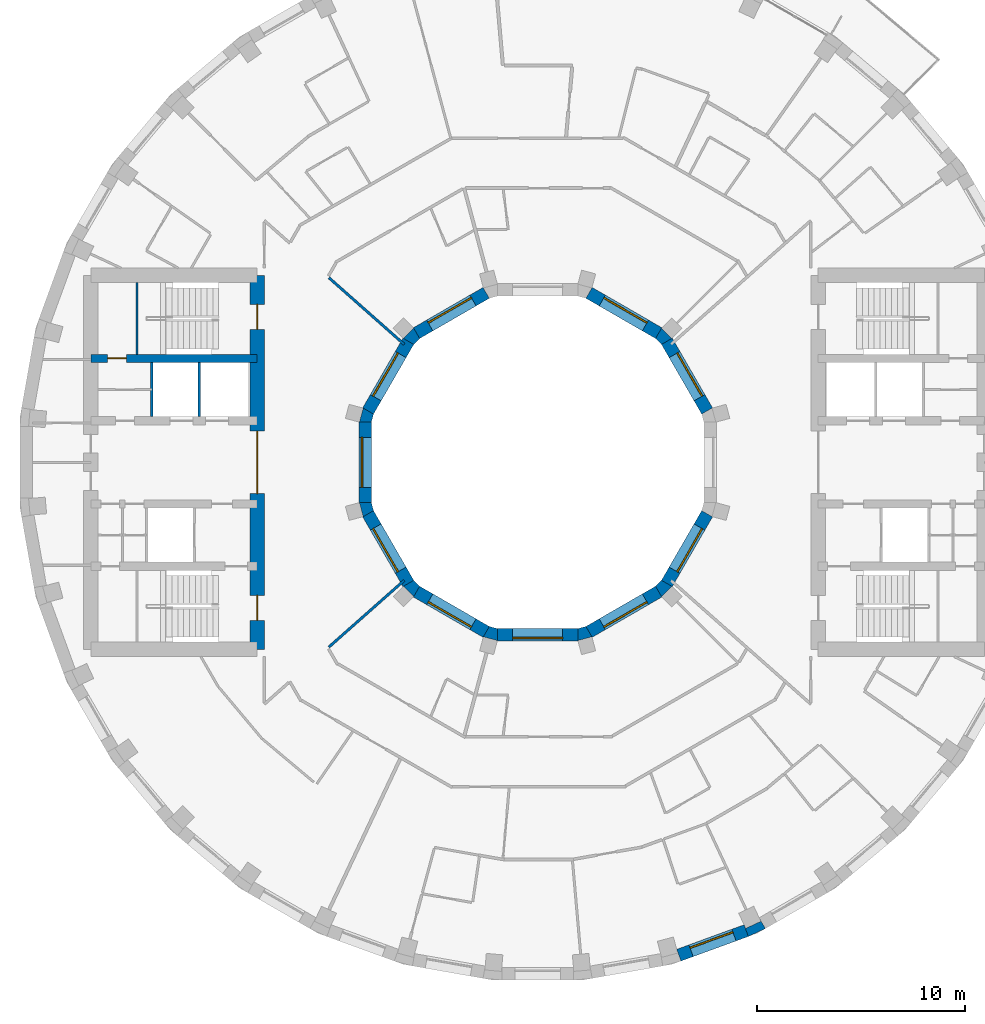
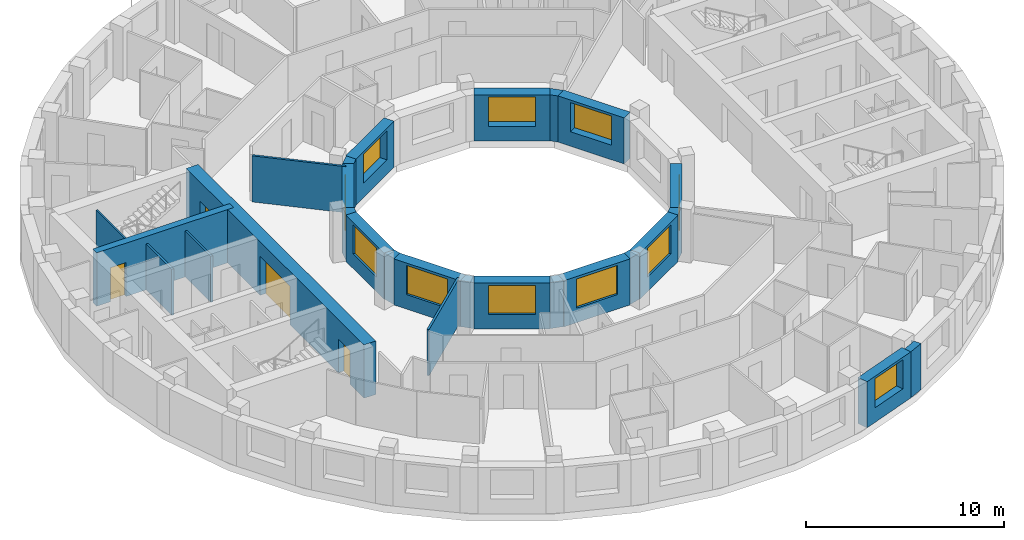
# One storey, part 6 of 13: 27 walls, 11 windows, 4 doors, 15 openings.
"""IFC4 building model written with IfcOpenShell, lengths in metres."""

from ifc_helpers import new_model, si_unit, direction, frame, frame_2d, origin, place, context, subcontext, project, spatial, polyline, rectangle, outline, extrude, material, layer, layer_set, type_object, element, fill, save


model = new_model("IFC4")

# Units and contexts
model_context = context("Model", 3, precision=1e-05, world=origin(), true_north=direction((0.0, 1.0)))
body_context = subcontext(model_context, "Body", "Model", "MODEL_VIEW")
ifc_project = project(units=[si_unit("LENGTHUNIT", "METRE"), si_unit("AREAUNIT", "SQUARE_METRE"), si_unit("VOLUMEUNIT", "CUBIC_METRE"), si_unit("PLANEANGLEUNIT", "RADIAN"), si_unit("MASSUNIT", "GRAM", prefix="KILO")], contexts=[model_context])

# Site, building, storey
site_placement = place(None, origin())
site = spatial("IfcSite", under=ifc_project, at=site_placement, CompositionType="ELEMENT")
building_placement = place(site_placement, origin())
building = spatial("IfcBuilding", under=site, at=building_placement, Name="Saqina Gate Tower", CompositionType="ELEMENT")
storey_placement = place(building_placement, frame((0.0, 0.0, 203.699951171875)))
storey = spatial("IfcBuildingStorey", under=building, at=storey_placement, Name="L58", CompositionType="ELEMENT", Elevation=203.699951171875)

# Wall
ifc_material_1 = material(Name="Brick masonry (buff)", Category="masonry")
wall_type_1 = type_object("IfcWallType", Name="BRICK PIER COPING BUFF", PredefinedType="SOLIDWALL", material=ifc_material_1)
wall_1_placement = place(storey_placement, origin())
element("IfcWall", 1, at=wall_1_placement, inside=storey, type_object=wall_type_1, Name="Pier cap L58 column 30", PredefinedType="SOLIDWALL", context=body_context, shape_type="SweptSolid", body=[
    extrude(outline(polyline([(10.958740234375, -22.4306640625), (10.65869140625, -21.9111328125), (10.73779296875, -22.080810546875), (10.0126953125, -22.4189453125), (9.93359375, -22.249267578125), (10.138916015625, -22.81298828125), (10.958740234375, -22.4306640625)])), origin(), (0.0, 0.0, 1.0), 2.85009765625),
])

# Wall, opening, window
ifc_material_2 = material(Name="Brick masonry (buff)", Category="masonry")
ifc_layer_1 = layer(ifc_material_2, 0.60009765625)
ifc_layer_set_1 = layer_set([ifc_layer_1], Name="FW-BRICK-BUFF")
wall_type_2 = type_object("IfcWallType", Name="FW-BRICK-BUFF", PredefinedType="SOLIDWALL", material=ifc_layer_set_1)
wall_2_placement = place(storey_placement, frame((6.79443359375, -23.7109375, 0.0), z_axis=(0.0, 0.0, 1.0), x_axis=(0.93968799822, 0.342032843455, 0.0)))
wall_2 = element("IfcWall", 2, at=wall_2_placement, inside=storey, type_object=wall_type_2, Name="Facade wall L58 facet 29", PredefinedType="SOLIDWALL", context=body_context, shape_type="SweptSolid", body=[
    extrude(rectangle(XDim=3.44970703125, YDim=0.60009765625, at=frame_2d((1.724853515625, 0.0))), origin(), (0.0, 0.0, 1.0), 2.85009765625),
])
opening_1_placement = place(wall_2_placement, frame((0.625, 0.0, 0.89990234375)))
opening_1 = element("IfcOpeningElement", 3, at=opening_1_placement, cuts=wall_2, Name="Opening G17-W18", PredefinedType="OPENING", context=body_context, shape_type="SweptSolid", body=[
    extrude(rectangle(XDim=2.199951171875, YDim=1.800048828125, at=frame_2d((1.10009765625, 0.89990234375))), frame((0.0, 0.31201171875, 0.0), z_axis=(0.0, -1.0, 0.0), x_axis=(1.0, 0.0, 0.0)), (0.0, 0.0, 1.0), 0.6240234375),
])
ifc_material_3 = material(Name="Aluminium glazing", Category="aluminium")
window_type_1 = type_object("IfcWindowType", Name="WN-C", PartitioningType="SINGLE_PANEL", PredefinedType="WINDOW", material=ifc_material_3)
window_1_placement = place(opening_1_placement, origin())
window_1 = element("IfcWindow", 4, at=window_1_placement, inside=storey, type_object=window_type_1, Name="Window L58 facet 29", OverallHeight=1.800048828125, OverallWidth=2.199951171875, PartitioningType="SINGLE_PANEL", PredefinedType="WINDOW", context=body_context, shape_type="SweptSolid", body=[
    extrude(rectangle(XDim=2.199951171875, YDim=1.800048828125, at=frame_2d((1.10009765625, 0.89990234375))), frame((0.0, 0.179931640625, 0.0), z_axis=(0.0, -1.0, 0.0), x_axis=(1.0, 0.0, 0.0)), (0.0, 0.0, 1.0), 0.06005859375),
])
fill(opening_1, window_1)

ifc_material_4 = material(Name="Glazed ceramic tile", Category="ceramic")
ifc_layer_2 = layer(ifc_material_4, 0.60009765625)
ifc_layer_set_2 = layer_set([ifc_layer_2], Name="IW-TILE")
wall_type_3 = type_object("IfcWallType", Name="IW-TILE", PredefinedType="SOLIDWALL", material=ifc_layer_set_2)
wall_3_placement = place(storey_placement, frame((8.155517578125, 2.474365234375, 0.0), z_axis=(0.0, 0.0, 1.0), x_axis=(-0.500033728941, 0.866005929495, 0.0)))
wall_3 = element("IfcWall", 5, at=wall_3_placement, inside=storey, type_object=wall_type_3, Name="Well wall L58 facet 1", PredefinedType="SOLIDWALL", context=body_context, shape_type="SweptSolid", body=[
    extrude(rectangle(XDim=3.869873046875, YDim=0.60009765625, at=frame_2d((1.93505859375, 0.0))), origin(), (0.0, 0.0, 1.0), 2.85009765625),
])
opening_2_placement = place(wall_3_placement, frame((0.73486328125, 0.0, 0.89990234375)))
opening_2 = element("IfcOpeningElement", 6, at=opening_2_placement, cuts=wall_3, Name="Opening G17-W23", PredefinedType="OPENING", context=body_context, shape_type="SweptSolid", body=[
    extrude(rectangle(XDim=2.39990234375, YDim=1.800048828125, at=frame_2d((1.199951171875, 0.89990234375))), frame((0.0, 0.31201171875, 0.0), z_axis=(0.0, -1.0, 0.0), x_axis=(1.0, 0.0, 0.0)), (0.0, 0.0, 1.0), 0.6240234375),
])
ifc_material_5 = material(Name="Aluminium glazing", Category="aluminium")
window_type_2 = type_object("IfcWindowType", Name="WN-W", PartitioningType="SINGLE_PANEL", PredefinedType="WINDOW", material=ifc_material_5)
window_2_placement = place(opening_2_placement, origin())
window_2 = element("IfcWindow", 7, at=window_2_placement, inside=storey, type_object=window_type_2, Name="Well window L58 facet 1", OverallHeight=1.800048828125, OverallWidth=2.39990234375, PartitioningType="SINGLE_PANEL", PredefinedType="WINDOW", context=body_context, shape_type="SweptSolid", body=[
    extrude(rectangle(XDim=2.39990234375, YDim=1.800048828125, at=frame_2d((1.199951171875, 0.89990234375))), frame((0.0, -0.119873046875, 0.0), z_axis=(0.0, -1.0, 0.0), x_axis=(1.0, 0.0, 0.0)), (0.0, 0.0, 1.0), 0.06005859375),
])
fill(opening_2, window_2)

wall_4_placement = place(storey_placement, frame((5.82568359375, 6.220458984375, 0.0), z_axis=(0.0, 0.0, 1.0), x_axis=(-0.866005929495, 0.500033728941, 0.0)))
wall_4 = element("IfcWall", 8, at=wall_4_placement, inside=storey, type_object=wall_type_3, Name="Well wall L58 facet 2", PredefinedType="SOLIDWALL", context=body_context, shape_type="SweptSolid", body=[
    extrude(rectangle(XDim=3.869873046875, YDim=0.60009765625, at=frame_2d((1.93505859375, 0.0))), origin(), (0.0, 0.0, 1.0), 2.85009765625),
])
opening_3_placement = place(wall_4_placement, frame((0.73486328125, 0.0, 0.89990234375)))
opening_3 = element("IfcOpeningElement", 9, at=opening_3_placement, cuts=wall_4, Name="Opening G17-W24", PredefinedType="OPENING", context=body_context, shape_type="SweptSolid", body=[
    extrude(rectangle(XDim=2.39990234375, YDim=1.800048828125, at=frame_2d((1.199951171875, 0.89990234375))), frame((0.0, 0.31201171875, 0.0), z_axis=(0.0, -1.0, 0.0), x_axis=(1.0, 0.0, 0.0)), (0.0, 0.0, 1.0), 0.6240234375),
])
window_3_placement = place(opening_3_placement, origin())
window_3 = element("IfcWindow", 10, at=window_3_placement, inside=storey, type_object=window_type_2, Name="Well window L58 facet 2", OverallHeight=1.800048828125, OverallWidth=2.39990234375, PartitioningType="SINGLE_PANEL", PredefinedType="WINDOW", context=body_context, shape_type="SweptSolid", body=[
    extrude(rectangle(XDim=2.39990234375, YDim=1.800048828125, at=frame_2d((1.199951171875, 0.89990234375))), frame((0.0, -0.119873046875, 0.0), z_axis=(0.0, -1.0, 0.0), x_axis=(1.0, 0.0, 0.0)), (0.0, 0.0, 1.0), 0.06005859375),
])
fill(opening_3, window_3)

wall_5_placement = place(storey_placement, frame((-2.474365234375, 8.155517578125, 0.0), z_axis=(0.0, 0.0, 1.0), x_axis=(-0.866005929495, -0.500033728941, 0.0)))
wall_5 = element("IfcWall", 11, at=wall_5_placement, inside=storey, type_object=wall_type_3, Name="Well wall L58 facet 4", PredefinedType="SOLIDWALL", context=body_context, shape_type="SweptSolid", body=[
    extrude(rectangle(XDim=3.869873046875, YDim=0.60009765625, at=frame_2d((1.93505859375, 0.0))), origin(), (0.0, 0.0, 1.0), 2.85009765625),
])
opening_4_placement = place(wall_5_placement, frame((0.73486328125, 0.0, 0.89990234375)))
opening_4 = element("IfcOpeningElement", 12, at=opening_4_placement, cuts=wall_5, Name="Opening G17-W26", PredefinedType="OPENING", context=body_context, shape_type="SweptSolid", body=[
    extrude(rectangle(XDim=2.39990234375, YDim=1.800048828125, at=frame_2d((1.199951171875, 0.89990234375))), frame((0.0, 0.31201171875, 0.0), z_axis=(0.0, -1.0, 0.0), x_axis=(1.0, 0.0, 0.0)), (0.0, 0.0, 1.0), 0.6240234375),
])
window_4_placement = place(opening_4_placement, origin())
window_4 = element("IfcWindow", 13, at=window_4_placement, inside=storey, type_object=window_type_2, Name="Well window L58 facet 4", OverallHeight=1.800048828125, OverallWidth=2.39990234375, PartitioningType="SINGLE_PANEL", PredefinedType="WINDOW", context=body_context, shape_type="SweptSolid", body=[
    extrude(rectangle(XDim=2.39990234375, YDim=1.800048828125, at=frame_2d((1.199951171875, 0.89990234375))), frame((0.0, -0.119873046875, 0.0), z_axis=(0.0, -1.0, 0.0), x_axis=(1.0, 0.0, 0.0)), (0.0, 0.0, 1.0), 0.06005859375),
])
fill(opening_4, window_4)

wall_6_placement = place(storey_placement, frame((-6.220458984375, 5.82568359375, 0.0), z_axis=(0.0, 0.0, 1.0), x_axis=(-0.500033728941, -0.866005929495, 0.0)))
wall_6 = element("IfcWall", 14, at=wall_6_placement, inside=storey, type_object=wall_type_3, Name="Well wall L58 facet 5", PredefinedType="SOLIDWALL", context=body_context, shape_type="SweptSolid", body=[
    extrude(rectangle(XDim=3.869873046875, YDim=0.60009765625, at=frame_2d((1.93505859375, 0.0))), origin(), (0.0, 0.0, 1.0), 2.85009765625),
])
opening_5_placement = place(wall_6_placement, frame((0.73486328125, 0.0, 0.89990234375)))
opening_5 = element("IfcOpeningElement", 15, at=opening_5_placement, cuts=wall_6, Name="Opening G17-W27", PredefinedType="OPENING", context=body_context, shape_type="SweptSolid", body=[
    extrude(rectangle(XDim=2.39990234375, YDim=1.800048828125, at=frame_2d((1.199951171875, 0.89990234375))), frame((0.0, 0.31201171875, 0.0), z_axis=(0.0, -1.0, 0.0), x_axis=(1.0, 0.0, 0.0)), (0.0, 0.0, 1.0), 0.6240234375),
])
window_5_placement = place(opening_5_placement, origin())
window_5 = element("IfcWindow", 16, at=window_5_placement, inside=storey, type_object=window_type_2, Name="Well window L58 facet 5", OverallHeight=1.800048828125, OverallWidth=2.39990234375, PartitioningType="SINGLE_PANEL", PredefinedType="WINDOW", context=body_context, shape_type="SweptSolid", body=[
    extrude(rectangle(XDim=2.39990234375, YDim=1.800048828125, at=frame_2d((1.199951171875, 0.89990234375))), frame((0.0, -0.119873046875, 0.0), z_axis=(0.0, -1.0, 0.0), x_axis=(1.0, 0.0, 0.0)), (0.0, 0.0, 1.0), 0.06005859375),
])
fill(opening_5, window_5)

wall_7_placement = place(storey_placement, frame((-8.300048828125, 1.934814453125, 0.0), z_axis=(0.0, 0.0, 1.0), x_axis=(0.0, -1.0, 0.0)))
wall_7 = element("IfcWall", 17, at=wall_7_placement, inside=storey, type_object=wall_type_3, Name="Well wall L58 facet 6", PredefinedType="SOLIDWALL", context=body_context, shape_type="SweptSolid", body=[
    extrude(rectangle(XDim=3.86962890625, YDim=0.60009765625, at=frame_2d((1.934814453125, 0.0))), origin(), (0.0, 0.0, 1.0), 2.85009765625),
])
opening_6_placement = place(wall_7_placement, frame((0.73486328125, 0.0, 0.89990234375)))
opening_6 = element("IfcOpeningElement", 18, at=opening_6_placement, cuts=wall_7, Name="Opening G17-W28", PredefinedType="OPENING", context=body_context, shape_type="SweptSolid", body=[
    extrude(rectangle(XDim=2.39990234375, YDim=1.800048828125, at=frame_2d((1.199951171875, 0.89990234375))), frame((0.0, 0.31201171875, 0.0), z_axis=(0.0, -1.0, 0.0), x_axis=(1.0, 0.0, 0.0)), (0.0, 0.0, 1.0), 0.6240234375),
])
window_6_placement = place(opening_6_placement, origin())
window_6 = element("IfcWindow", 19, at=window_6_placement, inside=storey, type_object=window_type_2, Name="Well window L58 facet 6", OverallHeight=1.800048828125, OverallWidth=2.39990234375, PartitioningType="SINGLE_PANEL", PredefinedType="WINDOW", context=body_context, shape_type="SweptSolid", body=[
    extrude(rectangle(XDim=2.39990234375, YDim=1.800048828125, at=frame_2d((1.199951171875, 0.89990234375))), frame((0.0, -0.119873046875, 0.0), z_axis=(0.0, -1.0, 0.0), x_axis=(1.0, 0.0, 0.0)), (0.0, 0.0, 1.0), 0.06005859375),
])
fill(opening_6, window_6)

wall_8_placement = place(storey_placement, frame((-8.155517578125, -2.474365234375, 0.0), z_axis=(0.0, 0.0, 1.0), x_axis=(0.500033728941, -0.866005929495, 0.0)))
wall_8 = element("IfcWall", 20, at=wall_8_placement, inside=storey, type_object=wall_type_3, Name="Well wall L58 facet 7", PredefinedType="SOLIDWALL", context=body_context, shape_type="SweptSolid", body=[
    extrude(rectangle(XDim=3.869873046875, YDim=0.60009765625, at=frame_2d((1.93505859375, 0.0))), origin(), (0.0, 0.0, 1.0), 2.85009765625),
])
opening_7_placement = place(wall_8_placement, frame((0.73486328125, 0.0, 0.89990234375)))
opening_7 = element("IfcOpeningElement", 21, at=opening_7_placement, cuts=wall_8, Name="Opening G17-W29", PredefinedType="OPENING", context=body_context, shape_type="SweptSolid", body=[
    extrude(rectangle(XDim=2.39990234375, YDim=1.800048828125, at=frame_2d((1.199951171875, 0.89990234375))), frame((0.0, 0.31201171875, 0.0), z_axis=(0.0, -1.0, 0.0), x_axis=(1.0, 0.0, 0.0)), (0.0, 0.0, 1.0), 0.6240234375),
])
window_7_placement = place(opening_7_placement, origin())
window_7 = element("IfcWindow", 22, at=window_7_placement, inside=storey, type_object=window_type_2, Name="Well window L58 facet 7", OverallHeight=1.800048828125, OverallWidth=2.39990234375, PartitioningType="SINGLE_PANEL", PredefinedType="WINDOW", context=body_context, shape_type="SweptSolid", body=[
    extrude(rectangle(XDim=2.39990234375, YDim=1.800048828125, at=frame_2d((1.199951171875, 0.89990234375))), frame((0.0, -0.119873046875, 0.0), z_axis=(0.0, -1.0, 0.0), x_axis=(1.0, 0.0, 0.0)), (0.0, 0.0, 1.0), 0.06005859375),
])
fill(opening_7, window_7)

wall_9_placement = place(storey_placement, frame((-5.82568359375, -6.220458984375, 0.0), z_axis=(0.0, 0.0, 1.0), x_axis=(0.866005929495, -0.500033728941, 0.0)))
wall_9 = element("IfcWall", 23, at=wall_9_placement, inside=storey, type_object=wall_type_3, Name="Well wall L58 facet 8", PredefinedType="SOLIDWALL", context=body_context, shape_type="SweptSolid", body=[
    extrude(rectangle(XDim=3.869873046875, YDim=0.60009765625, at=frame_2d((1.93505859375, 0.0))), origin(), (0.0, 0.0, 1.0), 2.85009765625),
])
opening_8_placement = place(wall_9_placement, frame((0.73486328125, 0.0, 0.89990234375)))
opening_8 = element("IfcOpeningElement", 24, at=opening_8_placement, cuts=wall_9, Name="Opening G17-W30", PredefinedType="OPENING", context=body_context, shape_type="SweptSolid", body=[
    extrude(rectangle(XDim=2.39990234375, YDim=1.800048828125, at=frame_2d((1.199951171875, 0.89990234375))), frame((0.0, 0.31201171875, 0.0), z_axis=(0.0, -1.0, 0.0), x_axis=(1.0, 0.0, 0.0)), (0.0, 0.0, 1.0), 0.6240234375),
])
window_8_placement = place(opening_8_placement, origin())
window_8 = element("IfcWindow", 25, at=window_8_placement, inside=storey, type_object=window_type_2, Name="Well window L58 facet 8", OverallHeight=1.800048828125, OverallWidth=2.39990234375, PartitioningType="SINGLE_PANEL", PredefinedType="WINDOW", context=body_context, shape_type="SweptSolid", body=[
    extrude(rectangle(XDim=2.39990234375, YDim=1.800048828125, at=frame_2d((1.199951171875, 0.89990234375))), frame((0.0, -0.119873046875, 0.0), z_axis=(0.0, -1.0, 0.0), x_axis=(1.0, 0.0, 0.0)), (0.0, 0.0, 1.0), 0.06005859375),
])
fill(opening_8, window_8)

wall_10_placement = place(storey_placement, frame((-1.934814453125, -8.300048828125, 0.0), z_axis=(0.0, 0.0, 1.0), x_axis=(1.0, 0.0, 0.0)))
wall_10 = element("IfcWall", 26, at=wall_10_placement, inside=storey, type_object=wall_type_3, Name="Well wall L58 facet 9", PredefinedType="SOLIDWALL", context=body_context, shape_type="SweptSolid", body=[
    extrude(rectangle(XDim=3.86962890625, YDim=0.60009765625, at=frame_2d((1.934814453125, 0.0))), origin(), (0.0, 0.0, 1.0), 2.85009765625),
])
opening_9_placement = place(wall_10_placement, frame((0.73486328125, 0.0, 0.89990234375)))
opening_9 = element("IfcOpeningElement", 27, at=opening_9_placement, cuts=wall_10, Name="Opening G17-W31", PredefinedType="OPENING", context=body_context, shape_type="SweptSolid", body=[
    extrude(rectangle(XDim=2.39990234375, YDim=1.800048828125, at=frame_2d((1.199951171875, 0.89990234375))), frame((0.0, 0.31201171875, 0.0), z_axis=(0.0, -1.0, 0.0), x_axis=(1.0, 0.0, 0.0)), (0.0, 0.0, 1.0), 0.6240234375),
])
window_9_placement = place(opening_9_placement, origin())
window_9 = element("IfcWindow", 28, at=window_9_placement, inside=storey, type_object=window_type_2, Name="Well window L58 facet 9", OverallHeight=1.800048828125, OverallWidth=2.39990234375, PartitioningType="SINGLE_PANEL", PredefinedType="WINDOW", context=body_context, shape_type="SweptSolid", body=[
    extrude(rectangle(XDim=2.39990234375, YDim=1.800048828125, at=frame_2d((1.199951171875, 0.89990234375))), frame((0.0, -0.119873046875, 0.0), z_axis=(0.0, -1.0, 0.0), x_axis=(1.0, 0.0, 0.0)), (0.0, 0.0, 1.0), 0.06005859375),
])
fill(opening_9, window_9)

wall_11_placement = place(storey_placement, frame((2.474365234375, -8.155517578125, 0.0), z_axis=(0.0, 0.0, 1.0), x_axis=(0.866005929495, 0.500033728941, 0.0)))
wall_11 = element("IfcWall", 29, at=wall_11_placement, inside=storey, type_object=wall_type_3, Name="Well wall L58 facet 10", PredefinedType="SOLIDWALL", context=body_context, shape_type="SweptSolid", body=[
    extrude(rectangle(XDim=3.869873046875, YDim=0.60009765625, at=frame_2d((1.93505859375, 0.0))), origin(), (0.0, 0.0, 1.0), 2.85009765625),
])
opening_10_placement = place(wall_11_placement, frame((0.73486328125, 0.0, 0.89990234375)))
opening_10 = element("IfcOpeningElement", 30, at=opening_10_placement, cuts=wall_11, Name="Opening G17-W32", PredefinedType="OPENING", context=body_context, shape_type="SweptSolid", body=[
    extrude(rectangle(XDim=2.39990234375, YDim=1.800048828125, at=frame_2d((1.199951171875, 0.89990234375))), frame((0.0, 0.31201171875, 0.0), z_axis=(0.0, -1.0, 0.0), x_axis=(1.0, 0.0, 0.0)), (0.0, 0.0, 1.0), 0.6240234375),
])
window_10_placement = place(opening_10_placement, origin())
window_10 = element("IfcWindow", 31, at=window_10_placement, inside=storey, type_object=window_type_2, Name="Well window L58 facet 10", OverallHeight=1.800048828125, OverallWidth=2.39990234375, PartitioningType="SINGLE_PANEL", PredefinedType="WINDOW", context=body_context, shape_type="SweptSolid", body=[
    extrude(rectangle(XDim=2.39990234375, YDim=1.800048828125, at=frame_2d((1.199951171875, 0.89990234375))), frame((0.0, -0.119873046875, 0.0), z_axis=(0.0, -1.0, 0.0), x_axis=(1.0, 0.0, 0.0)), (0.0, 0.0, 1.0), 0.06005859375),
])
fill(opening_10, window_10)

wall_12_placement = place(storey_placement, frame((6.220458984375, -5.82568359375, 0.0), z_axis=(0.0, 0.0, 1.0), x_axis=(0.500033728941, 0.866005929495, 0.0)))
wall_12 = element("IfcWall", 32, at=wall_12_placement, inside=storey, type_object=wall_type_3, Name="Well wall L58 facet 11", PredefinedType="SOLIDWALL", context=body_context, shape_type="SweptSolid", body=[
    extrude(rectangle(XDim=3.869873046875, YDim=0.60009765625, at=frame_2d((1.93505859375, 0.0))), origin(), (0.0, 0.0, 1.0), 2.85009765625),
])
opening_11_placement = place(wall_12_placement, frame((0.73486328125, 0.0, 0.89990234375)))
opening_11 = element("IfcOpeningElement", 33, at=opening_11_placement, cuts=wall_12, Name="Opening G17-W33", PredefinedType="OPENING", context=body_context, shape_type="SweptSolid", body=[
    extrude(rectangle(XDim=2.39990234375, YDim=1.800048828125, at=frame_2d((1.199951171875, 0.89990234375))), frame((0.0, 0.31201171875, 0.0), z_axis=(0.0, -1.0, 0.0), x_axis=(1.0, 0.0, 0.0)), (0.0, 0.0, 1.0), 0.6240234375),
])
window_11_placement = place(opening_11_placement, origin())
window_11 = element("IfcWindow", 34, at=window_11_placement, inside=storey, type_object=window_type_2, Name="Well window L58 facet 11", OverallHeight=1.800048828125, OverallWidth=2.39990234375, PartitioningType="SINGLE_PANEL", PredefinedType="WINDOW", context=body_context, shape_type="SweptSolid", body=[
    extrude(rectangle(XDim=2.39990234375, YDim=1.800048828125, at=frame_2d((1.199951171875, 0.89990234375))), frame((0.0, -0.119873046875, 0.0), z_axis=(0.0, -1.0, 0.0), x_axis=(1.0, 0.0, 0.0)), (0.0, 0.0, 1.0), 0.06005859375),
])
fill(opening_11, window_11)

# Walls
ifc_material_6 = material(Name="Gypsum board on steel studs, 125 mm, fire rated", Category="steel")
ifc_layer_3 = layer(ifc_material_6, 0.125)
ifc_layer_set_3 = layer_set([ifc_layer_3], Name="PARTITION EI 30 125")
wall_type_4 = type_object("IfcWallType", Name="PARTITION EI 30 125", PredefinedType="PARTITIONING", material=ifc_layer_set_3)
for number, where, z_axis, x_axis, name in (
    (35, (-10.0439453125, 8.885986328125, 0.0), (0.0, 0.0, 1.0), (0.748977300745, -0.662595655712, 0.0), "PARTITION PW1-11"),
    (36, (-10.0439453125, -8.885986328125, 0.0), (0.0, 0.0, 1.0), (0.748977300745, 0.662595655712, 0.0), "PARTITION PW1-37"),
):
    element("IfcWall", number, at=place(storey_placement, frame(where, z_axis=z_axis, x_axis=x_axis)), inside=storey, type_object=wall_type_4, Name=name, PredefinedType="PARTITIONING", context=body_context, shape_type="SweptSolid", body=[
        extrude(rectangle(XDim=4.838623046875, YDim=0.125, at=frame_2d((2.41943359375, 0.0))), origin(), (0.0, 0.0, 1.0), 2.85009765625),
    ])
ifc_material_7 = material(Name="Autoclaved aerated concrete block", Category="concrete")
ifc_layer_4 = layer(ifc_material_7, 0.1201171875)
ifc_layer_set_4 = layer_set([ifc_layer_4], Name="SHAFT PARTITION")
wall_type_5 = type_object("IfcWallType", Name="SHAFT PARTITION", PredefinedType="PARTITIONING", material=ifc_layer_set_4)
for number, where, z_axis, x_axis, name in (
    (37, (-16.280029296875, 2.199951171875, 0.0), (0.0, 0.0, 1.0), (0.0, 1.0, 0.0), "L58-CP-W05"),
    (38, (-18.56005859375, 2.199951171875, 0.0), (0.0, 0.0, 1.0), (0.0, 1.0, 0.0), "L58-CP-W06"),
):
    element("IfcWall", number, at=place(storey_placement, frame(where, z_axis=z_axis, x_axis=x_axis)), inside=storey, type_object=wall_type_5, Name=name, PredefinedType="PARTITIONING", context=body_context, shape_type="SweptSolid", body=[
        extrude(rectangle(XDim=2.60009765625, YDim=0.1201171875, at=frame_2d((1.300048828125, 0.0))), origin(), (0.0, 0.0, 1.0), 2.85009765625),
    ])
ifc_material_8 = material(Name="Autoclaved aerated concrete block", Category="concrete")
ifc_layer_5 = layer(ifc_material_8, 0.10009765625)
ifc_layer_set_5 = layer_set([ifc_layer_5], Name="STAIR ENCLOSURE WALL")
wall_type_6 = type_object("IfcWallType", Name="STAIR ENCLOSURE WALL", PredefinedType="PARTITIONING", material=ifc_layer_set_5)
wall_13_placement = place(storey_placement, frame((-19.27001953125, 5.199951171875, 0.0), z_axis=(0.0, 0.0, 1.0), x_axis=(0.0, 1.0, 0.0)))
element("IfcWall", 39, at=wall_13_placement, inside=storey, type_object=wall_type_6, Name="L58-CP-W13", PredefinedType="PARTITIONING", context=body_context, shape_type="SweptSolid", body=[
    extrude(rectangle(XDim=3.449951171875, YDim=0.10009765625, at=frame_2d((1.72509765625, 0.0))), origin(), (0.0, 0.0, 1.0), 2.85009765625),
])

# Wall, opening, door
ifc_material_9 = material(Name="Concrete C60/75", Category="concrete")
ifc_layer_6 = layer(ifc_material_9, 0.39990234375)
ifc_layer_set_6 = layer_set([ifc_layer_6], Name="Concrete C60/75")
wall_type_7 = type_object("IfcWallType", Name="STR-CORE WALL-C-I", PredefinedType="SHEAR", material=ifc_layer_set_6)
wall_14_placement = place(storey_placement, frame((-13.5, 5.0, 0.0), z_axis=(0.0, 0.0, 1.0), x_axis=(-1.0, 0.0, 0.0)))
wall_14 = element("IfcWall", 40, at=wall_14_placement, inside=storey, type_object=wall_type_7, Name="CORE WALL L58 W-X1", PredefinedType="SHEAR", context=body_context, shape_type="SweptSolid", body=[
    extrude(rectangle(XDim=8.0, YDim=0.39990234375, at=frame_2d((4.0, 0.0))), origin(), (0.0, 0.0, 1.0), 3.300048828125),
])
opening_12_placement = place(wall_14_placement, frame((6.284912109375, 0.0, 0.0)))
opening_12 = element("IfcOpeningElement", 41, at=opening_12_placement, cuts=wall_14, Name="Opening G17-D114", PredefinedType="OPENING", context=body_context, shape_type="SweptSolid", body=[
    extrude(rectangle(XDim=0.89990234375, YDim=2.10009765625, at=frame_2d((0.449951171875, 1.050048828125))), frame((0.0, 0.2119140625, 0.0), z_axis=(0.0, -1.0, 0.0), x_axis=(1.0, 0.0, 0.0)), (0.0, 0.0, 1.0), 0.423828125),
])
ifc_material_10 = material(Name="Steel-framed fire door leaf, EI 60", Category="steel")
door_type_1 = type_object("IfcDoorType", Name="SERVICE ROOM DOOR 900", OperationType="SINGLE_SWING_LEFT", PredefinedType="DOOR", material=ifc_material_10)
door_1_placement = place(opening_12_placement, frame((0.89990234375, 0.0, 0.0), z_axis=(0.0, 0.0, 1.0), x_axis=(-1.0, 0.0, 0.0)))
door_1 = element("IfcDoor", 42, at=door_1_placement, inside=storey, type_object=door_type_1, Name="L58-CD-W25", OperationType="SINGLE_SWING_LEFT", OverallHeight=2.10009765625, OverallWidth=0.89990234375, PredefinedType="DOOR", context=body_context, shape_type="SweptSolid", body=[
    extrude(rectangle(XDim=0.89990234375, YDim=2.10009765625, at=frame_2d((0.449951171875, 1.050048828125))), frame((0.0, 0.02490234375, 0.0), z_axis=(0.0, -1.0, 0.0), x_axis=(1.0, 0.0, 0.0)), (0.0, 0.0, 1.0), 0.050048828125),
])
fill(opening_12, door_1)

# Wall, openings, doors
ifc_material_11 = material(Name="Concrete C60/75", Category="concrete")
ifc_layer_7 = layer(ifc_material_11, 0.699951171875)
ifc_layer_set_7 = layer_set([ifc_layer_7], Name="Concrete C60/75")
wall_type_8 = type_object("IfcWallType", Name="STR-CORE WALL-C-O", PredefinedType="SHEAR", material=ifc_layer_set_7)
wall_15_placement = place(storey_placement, frame((-13.5, -9.0, 0.0), z_axis=(0.0, 0.0, 1.0), x_axis=(0.0, 1.0, 0.0)))
wall_15 = element("IfcWall", 43, at=wall_15_placement, inside=storey, type_object=wall_type_8, Name="CORE WALL L58 W-W1", PredefinedType="SHEAR", context=body_context, shape_type="SweptSolid", body=[
    extrude(rectangle(XDim=18.0, YDim=0.699951171875, at=frame_2d((9.0, 0.0))), origin(), (0.0, 0.0, 1.0), 3.300048828125),
])
opening_13_placement = place(wall_15_placement, frame((15.39990234375, 0.0, 0.0)))
opening_13 = element("IfcOpeningElement", 44, at=opening_13_placement, cuts=wall_15, Name="Opening G17-D119", PredefinedType="OPENING", context=body_context, shape_type="SweptSolid", body=[
    extrude(rectangle(XDim=1.199951171875, YDim=2.10009765625, at=frame_2d((0.60009765625, 1.050048828125))), frame((0.0, 0.362060546875, 0.0), z_axis=(0.0, -1.0, 0.0), x_axis=(1.0, 0.0, 0.0)), (0.0, 0.0, 1.0), 0.723876953125),
])
opening_14_placement = place(wall_15_placement, frame((1.39990234375, 0.0, 0.0)))
opening_14 = element("IfcOpeningElement", 45, at=opening_14_placement, cuts=wall_15, Name="Opening G17-D120", PredefinedType="OPENING", context=body_context, shape_type="SweptSolid", body=[
    extrude(rectangle(XDim=1.199951171875, YDim=2.10009765625, at=frame_2d((0.60009765625, 1.050048828125))), frame((0.0, 0.362060546875, 0.0), z_axis=(0.0, -1.0, 0.0), x_axis=(1.0, 0.0, 0.0)), (0.0, 0.0, 1.0), 0.723876953125),
])
opening_15_placement = place(wall_15_placement, frame((7.5, 0.0, 0.0)))
opening_15 = element("IfcOpeningElement", 46, at=opening_15_placement, cuts=wall_15, Name="Opening G17-D121", PredefinedType="OPENING", context=body_context, shape_type="SweptSolid", body=[
    extrude(rectangle(XDim=3.0, YDim=2.39990234375, at=frame_2d((1.5, 1.199951171875))), frame((0.0, 0.362060546875, 0.0), z_axis=(0.0, -1.0, 0.0), x_axis=(1.0, 0.0, 0.0)), (0.0, 0.0, 1.0), 0.723876953125),
])
ifc_material_12 = material(Name="Steel", Category="steel")
door_type_2 = type_object("IfcDoorType", Name="FIRE DOOR EI 60", OperationType="SINGLE_SWING_LEFT", PredefinedType="DOOR", material=ifc_material_12)
door_2_placement = place(opening_13_placement, origin())
door_2 = element("IfcDoor", 47, at=door_2_placement, inside=storey, type_object=door_type_2, Name="L58-CD-W30", OperationType="SINGLE_SWING_RIGHT", OverallHeight=2.10009765625, OverallWidth=1.199951171875, PredefinedType="DOOR", context=body_context, shape_type="SweptSolid", body=[
    extrude(rectangle(XDim=1.199951171875, YDim=2.10009765625, at=frame_2d((0.60009765625, 1.050048828125))), frame((0.0, 0.02490234375, 0.0), z_axis=(0.0, -1.0, 0.0), x_axis=(1.0, 0.0, 0.0)), (0.0, 0.0, 1.0), 0.050048828125),
])
fill(opening_13, door_2)
door_3_placement = place(opening_14_placement, origin())
door_3 = element("IfcDoor", 48, at=door_3_placement, inside=storey, type_object=door_type_2, Name="L58-CD-W31", OperationType="SINGLE_SWING_LEFT", OverallHeight=2.10009765625, OverallWidth=1.199951171875, PredefinedType="DOOR", context=body_context, shape_type="SweptSolid", body=[
    extrude(rectangle(XDim=1.199951171875, YDim=2.10009765625, at=frame_2d((0.60009765625, 1.050048828125))), frame((0.0, 0.02490234375, 0.0), z_axis=(0.0, -1.0, 0.0), x_axis=(1.0, 0.0, 0.0)), (0.0, 0.0, 1.0), 0.050048828125),
])
fill(opening_14, door_3)
ifc_material_13 = material(Name="Steel and fire-resisting glass", Category="steel")
door_type_3 = type_object("IfcDoorType", Name="LOBBY SCREEN DOOR", OperationType="DOUBLE_DOOR_SLIDING", PredefinedType="DOOR", material=ifc_material_13)
door_4_placement = place(opening_15_placement, origin())
door_4 = element("IfcDoor", 49, at=door_4_placement, inside=storey, type_object=door_type_3, Name="L58-CD-W32", OperationType="DOUBLE_DOOR_SLIDING", OverallHeight=2.39990234375, OverallWidth=3.0, PredefinedType="DOOR", context=body_context, shape_type="SweptSolid", body=[
    extrude(rectangle(XDim=3.0, YDim=2.39990234375, at=frame_2d((1.5, 1.199951171875))), frame((0.0, 0.02490234375, 0.0), z_axis=(0.0, -1.0, 0.0), x_axis=(1.0, 0.0, 0.0)), (0.0, 0.0, 1.0), 0.050048828125),
])
fill(opening_15, door_4)

# Walls
ifc_material_14 = material(Name="Glazed ceramic tile", Category="ceramic")
wall_type_9 = type_object("IfcWallType", Name="TILE PIER COPING", PredefinedType="SOLIDWALL", material=ifc_material_14)
wall_16_placement = place(storey_placement, origin())
element("IfcWall", 50, at=wall_16_placement, inside=storey, type_object=wall_type_9, Name="Well pier cap L58 column 2", PredefinedType="SOLIDWALL", context=body_context, shape_type="SweptSolid", body=[
    extrude(outline(polyline([(5.96240234375, 6.45751953125), (5.67578125, 5.960693359375), (5.960693359375, 5.67578125), (6.45751953125, 5.96240234375), (5.96240234375, 6.45751953125)])), origin(), (0.0, 0.0, 1.0), 2.85009765625),
])
wall_17_placement = place(storey_placement, origin())
element("IfcWall", 51, at=wall_17_placement, inside=storey, type_object=wall_type_9, Name="Well pier cap L58 column 5", PredefinedType="SOLIDWALL", context=body_context, shape_type="SweptSolid", body=[
    extrude(outline(polyline([(-6.45751953125, 5.96240234375), (-5.960693359375, 5.67578125), (-5.67578125, 5.960693359375), (-5.96240234375, 6.45751953125), (-6.45751953125, 5.96240234375)])), origin(), (0.0, 0.0, 1.0), 2.85009765625),
])
wall_18_placement = place(storey_placement, origin())
element("IfcWall", 52, at=wall_18_placement, inside=storey, type_object=wall_type_9, Name="Well pier cap L58 column 6", PredefinedType="SOLIDWALL", context=body_context, shape_type="SweptSolid", body=[
    extrude(outline(polyline([(-8.573486328125, 1.934814453125), (-8.0, 1.934814453125), (-7.895751953125, 2.32421875), (-8.392333984375, 2.611083984375), (-8.573486328125, 1.934814453125)])), origin(), (0.0, 0.0, 1.0), 2.85009765625),
])
wall_19_placement = place(storey_placement, origin())
element("IfcWall", 53, at=wall_19_placement, inside=storey, type_object=wall_type_9, Name="Well pier cap L58 column 7", PredefinedType="SOLIDWALL", context=body_context, shape_type="SweptSolid", body=[
    extrude(outline(polyline([(-8.0, -1.934814453125), (-8.573486328125, -1.934814453125), (-8.392333984375, -2.611083984375), (-7.895751953125, -2.32421875), (-8.0, -1.934814453125)])), origin(), (0.0, 0.0, 1.0), 2.85009765625),
])
wall_20_placement = place(storey_placement, origin())
element("IfcWall", 54, at=wall_20_placement, inside=storey, type_object=wall_type_9, Name="Well pier cap L58 column 8", PredefinedType="SOLIDWALL", context=body_context, shape_type="SweptSolid", body=[
    extrude(outline(polyline([(-6.45751953125, -5.96240234375), (-5.96240234375, -6.45751953125), (-5.67578125, -5.960693359375), (-5.960693359375, -5.67578125), (-6.45751953125, -5.96240234375)])), origin(), (0.0, 0.0, 1.0), 2.85009765625),
])
wall_21_placement = place(storey_placement, origin())
element("IfcWall", 55, at=wall_21_placement, inside=storey, type_object=wall_type_9, Name="Well pier cap L58 column 9", PredefinedType="SOLIDWALL", context=body_context, shape_type="SweptSolid", body=[
    extrude(outline(polyline([(-1.934814453125, -8.573486328125), (-1.934814453125, -8.0), (-2.32421875, -7.895751953125), (-2.611083984375, -8.392333984375), (-1.934814453125, -8.573486328125)])), origin(), (0.0, 0.0, 1.0), 2.85009765625),
])
wall_22_placement = place(storey_placement, origin())
element("IfcWall", 56, at=wall_22_placement, inside=storey, type_object=wall_type_9, Name="Well pier cap L58 column 10", PredefinedType="SOLIDWALL", context=body_context, shape_type="SweptSolid", body=[
    extrude(outline(polyline([(2.611083984375, -8.392333984375), (2.32421875, -7.895751953125), (1.934814453125, -8.0), (1.934814453125, -8.573486328125), (2.611083984375, -8.392333984375)])), origin(), (0.0, 0.0, 1.0), 2.85009765625),
])
wall_23_placement = place(storey_placement, origin())
element("IfcWall", 57, at=wall_23_placement, inside=storey, type_object=wall_type_9, Name="Well pier cap L58 column 11", PredefinedType="SOLIDWALL", context=body_context, shape_type="SweptSolid", body=[
    extrude(outline(polyline([(5.96240234375, -6.45751953125), (6.45751953125, -5.96240234375), (5.960693359375, -5.67578125), (5.67578125, -5.960693359375), (5.96240234375, -6.45751953125)])), origin(), (0.0, 0.0, 1.0), 2.85009765625),
])

save(model, "model.ifc")
